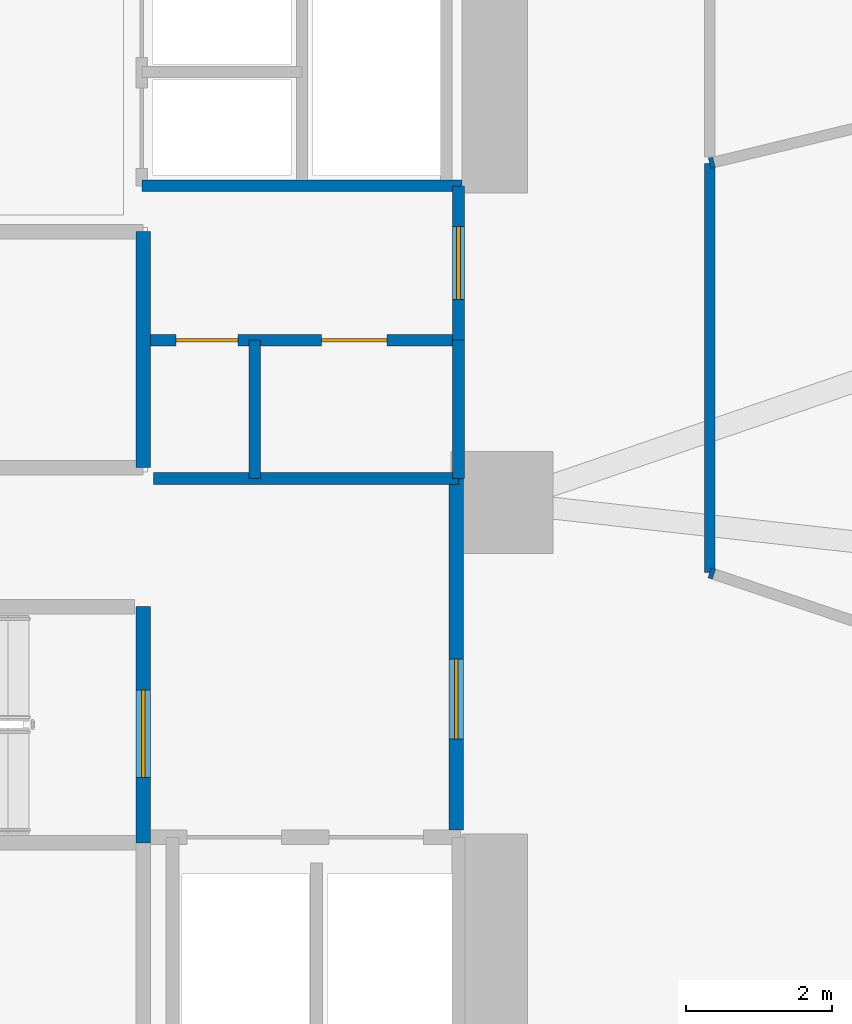
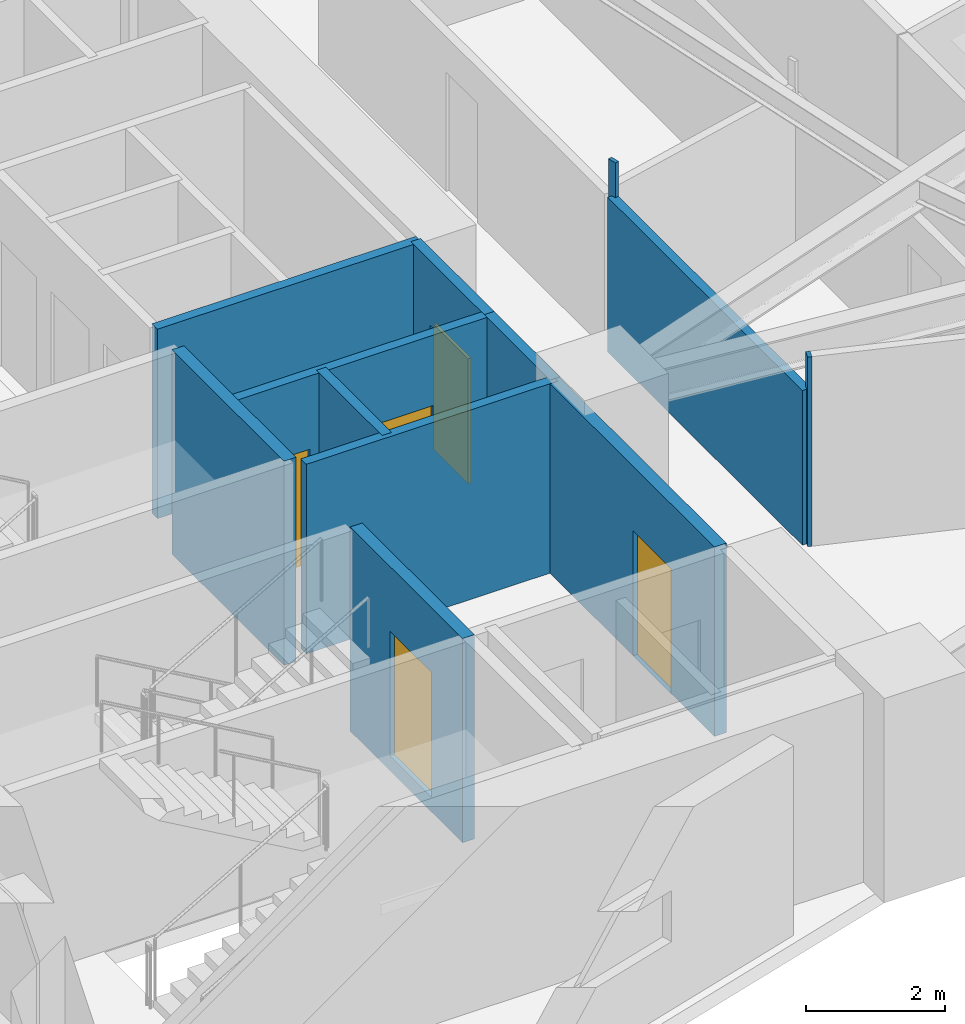
# One storey, part 10 of 16: 12 walls, 5 doors, 5 openings.
"""IFC4 building model written with IfcOpenShell, lengths in metres."""

from ifc_helpers import new_model, si_unit, direction, frame, frame_2d, origin, place, context, subcontext, project, spatial, rectangle, extrude, material, layer, layer_set, type_object, element, fill, save


model = new_model("IFC4")

# Units and contexts
model_context = context("Model", 3, precision=1e-05, world=origin(), true_north=direction((0.0, 1.0)))
body_context = subcontext(model_context, "Body", "Model", "MODEL_VIEW")
ifc_project = project(units=[si_unit("LENGTHUNIT", "METRE"), si_unit("AREAUNIT", "SQUARE_METRE"), si_unit("VOLUMEUNIT", "CUBIC_METRE"), si_unit("PLANEANGLEUNIT", "RADIAN"), si_unit("MASSUNIT", "GRAM", prefix="KILO")], contexts=[model_context])

# Site, building, storey
site_placement = place(None, origin())
site = spatial("IfcSite", under=ifc_project, at=site_placement, CompositionType="ELEMENT")
building_placement = place(site_placement, origin())
building = spatial("IfcBuilding", under=site, at=building_placement, Name="Narakoshi Arena Tower", CompositionType="ELEMENT")
storey_placement = place(building_placement, frame((0.0, 0.0, 150.300048828125)))
storey = spatial("IfcBuildingStorey", under=building, at=storey_placement, Name="L40", CompositionType="ELEMENT", Elevation=150.300048828125)

# Wall, opening, door
ifc_material_1 = material(Name="Gypsum plasterboard fire-rated partition")
ifc_layer_1 = layer(ifc_material_1, 0.1650390625)
ifc_layer_set_1 = layer_set([ifc_layer_1], Name="Gypsum plasterboard fire-rated partition")
wall_type_1 = type_object("IfcWallType", Name="WL-CORR-165", PredefinedType="PARTITIONING", material=ifc_layer_set_1)
wall_1_placement = place(storey_placement, frame((84.949951171875, 45.580078125, 0.0), z_axis=(0.0, 0.0, 1.0), x_axis=(0.0, 1.0, 0.0)))
wall_1 = element("IfcWall", 1, at=wall_1_placement, inside=storey, type_object=wall_type_1, Name="L40 Core Wall CPAS-E", PredefinedType="PARTITIONING", context=body_context, shape_type="SweptSolid", body=[
    extrude(rectangle(XDim=2.119873046875, YDim=0.1650390625, at=frame_2d((1.06005859375, 0.0))), origin(), (0.0, 0.0, 1.0), 3.33984375),
])
opening_1_placement = place(wall_1_placement, frame((0.56005859375, 0.0, 0.0)))
opening_1 = element("IfcOpeningElement", 2, at=opening_1_placement, cuts=wall_1, Name="Opening D-06", PredefinedType="OPENING", context=body_context, shape_type="SweptSolid", body=[
    extrude(rectangle(XDim=1.0, YDim=2.199951171875, at=frame_2d((0.5, 1.10009765625))), frame((0.0, 0.092529296875, 0.0), z_axis=(0.0, -1.0, 0.0), x_axis=(1.0, 0.0, 0.0)), (0.0, 0.0, 1.0), 0.18505859375),
])
ifc_material_2 = material(Name="Stained oak solid-core timber", Category="wood")
door_type_1 = type_object("IfcDoorType", Name="DR-OFF-1000", OperationType="NOTDEFINED", PredefinedType="DOOR", material=ifc_material_2)
door_1_placement = place(opening_1_placement, frame((1.0, 0.0, 0.0), z_axis=(0.0, 0.0, 1.0), x_axis=(-1.0, 0.0, 0.0)))
door_1 = element("IfcDoor", 3, at=door_1_placement, inside=storey, type_object=door_type_1, Name="DR-L40-007", OperationType="SINGLE_SWING_LEFT", OverallHeight=2.199951171875, OverallWidth=1.0, PredefinedType="DOOR", context=body_context, shape_type="SweptSolid", body=[
    extrude(rectangle(XDim=1.0, YDim=2.199951171875, at=frame_2d((0.5, 1.10009765625))), frame((0.0, 0.02490234375, 0.0), z_axis=(0.0, -1.0, 0.0), x_axis=(1.0, 0.0, 0.0)), (0.0, 0.0, 1.0), 0.050048828125),
])
fill(opening_1, door_1)

# Wall
ifc_material_3 = material(Name="Concrete C40/50", Category="concrete")
ifc_layer_2 = layer(ifc_material_3, 0.280029296875)
ifc_layer_set_2 = layer_set([ifc_layer_2], Name="Concrete C40/50")
wall_type_2 = type_object("IfcWallType", Name="WL-RISER-280", PredefinedType="PLUMBINGWALL", material=ifc_layer_set_2)
wall_2_placement = place(storey_placement, frame((84.949951171875, 43.679931640625, 0.0), z_axis=(0.0, 0.0, 1.0), x_axis=(0.0, 1.0, 0.0)))
element("IfcWall", 4, at=wall_2_placement, inside=storey, type_object=wall_type_2, Name="L40 Core Wall RSR-E", PredefinedType="PLUMBINGWALL", context=body_context, shape_type="SweptSolid", body=[
    extrude(rectangle(XDim=1.900146484375, YDim=0.1650390625, at=frame_2d((0.9501953125, 0.0))), origin(), (0.0, 0.0, 1.0), 3.33984375),
])

# Wall, openings, doors
wall_3_placement = place(storey_placement, frame((80.719970703125, 45.580078125, 0.0), z_axis=(0.0, 0.0, 1.0), x_axis=(1.0, 0.0, 0.0)))
wall_3 = element("IfcWall", 5, at=wall_3_placement, inside=storey, type_object=wall_type_2, Name="L40 Core Wall RSR-N", PredefinedType="PLUMBINGWALL", context=body_context, shape_type="SweptSolid", body=[
    extrude(rectangle(XDim=4.22998046875, YDim=0.159912109375, at=frame_2d((2.114990234375, 0.0))), origin(), (0.0, 0.0, 1.0), 3.33984375),
])
opening_2_placement = place(wall_3_placement, frame((0.35009765625, 0.0, 0.0)))
opening_2 = element("IfcOpeningElement", 6, at=opening_2_placement, cuts=wall_3, Name="Opening D-10", PredefinedType="OPENING", context=body_context, shape_type="SweptSolid", body=[
    extrude(rectangle(XDim=0.85009765625, YDim=2.050048828125, at=frame_2d((0.425048828125, 1.02490234375))), frame((0.0, 0.08984375, 0.0), z_axis=(0.0, -1.0, 0.0), x_axis=(1.0, 0.0, 0.0)), (0.0, 0.0, 1.0), 0.179931640625),
])
opening_3_placement = place(wall_3_placement, frame((2.35009765625, 0.0, 0.0)))
opening_3 = element("IfcOpeningElement", 7, at=opening_3_placement, cuts=wall_3, Name="Opening D-08", PredefinedType="OPENING", context=body_context, shape_type="SweptSolid", body=[
    extrude(rectangle(XDim=0.89990234375, YDim=2.10009765625, at=frame_2d((0.449951171875, 1.050048828125))), frame((0.0, 0.08984375, 0.0), z_axis=(0.0, -1.0, 0.0), x_axis=(1.0, 0.0, 0.0)), (0.0, 0.0, 1.0), 0.179931640625),
])
ifc_material_4 = material(Name="Painted galvanized steel", Category="steel")
door_type_2 = type_object("IfcDoorType", Name="DR-RSR-850", OperationType="NOTDEFINED", PredefinedType="DOOR", material=ifc_material_4)
door_2_placement = place(opening_2_placement, frame((0.85009765625, 0.0, 0.0), z_axis=(0.0, 0.0, 1.0), x_axis=(-1.0, 0.0, 0.0)))
door_2 = element("IfcDoor", 8, at=door_2_placement, inside=storey, type_object=door_type_2, Name="DR-L40-008", OperationType="SINGLE_SWING_LEFT", OverallHeight=2.050048828125, OverallWidth=0.85009765625, PredefinedType="DOOR", context=body_context, shape_type="SweptSolid", body=[
    extrude(rectangle(XDim=0.85009765625, YDim=2.050048828125, at=frame_2d((0.425048828125, 1.02490234375))), frame((0.0, 0.02490234375, 0.0), z_axis=(0.0, -1.0, 0.0), x_axis=(1.0, 0.0, 0.0)), (0.0, 0.0, 1.0), 0.050048828125),
])
fill(opening_2, door_2)
ifc_material_5 = material(Name="Moisture-resistant laminate timber", Category="wood")
door_type_3 = type_object("IfcDoorType", Name="DR-WC-900", OperationType="NOTDEFINED", PredefinedType="DOOR", material=ifc_material_5)
door_3_placement = place(opening_3_placement, frame((0.89990234375, 0.0, 0.0), z_axis=(0.0, 0.0, 1.0), x_axis=(-1.0, 0.0, 0.0)))
door_3 = element("IfcDoor", 9, at=door_3_placement, inside=storey, type_object=door_type_3, Name="DR-L40-009", OperationType="SINGLE_SWING_RIGHT", OverallHeight=2.10009765625, OverallWidth=0.89990234375, PredefinedType="DOOR", context=body_context, shape_type="SweptSolid", body=[
    extrude(rectangle(XDim=0.89990234375, YDim=2.10009765625, at=frame_2d((0.449951171875, 1.050048828125))), frame((0.0, 0.02490234375, 0.0), z_axis=(0.0, -1.0, 0.0), x_axis=(1.0, 0.0, 0.0)), (0.0, 0.0, 1.0), 0.050048828125),
])
fill(opening_3, door_3)

# Walls
wall_4_placement = place(storey_placement, frame((80.760009765625, 43.679931640625, 0.0), z_axis=(0.0, 0.0, 1.0), x_axis=(1.0, 0.0, 0.0)))
element("IfcWall", 10, at=wall_4_placement, inside=storey, type_object=wall_type_2, Name="L40 Core Wall RSR-S", PredefinedType="PLUMBINGWALL", context=body_context, shape_type="SweptSolid", body=[
    extrude(rectangle(XDim=4.18994140625, YDim=0.159912109375, at=frame_2d((2.094970703125, 0.0))), origin(), (0.0, 0.0, 1.0), 3.33984375),
])
wall_5_placement = place(storey_placement, frame((82.14990234375, 43.679931640625, 0.0), z_axis=(0.0, 0.0, 1.0), x_axis=(0.0, 1.0, 0.0)))
element("IfcWall", 11, at=wall_5_placement, inside=storey, type_object=wall_type_2, Name="L40 Core Wall RSR-M", PredefinedType="PLUMBINGWALL", context=body_context, shape_type="SweptSolid", body=[
    extrude(rectangle(XDim=1.900146484375, YDim=0.159912109375, at=frame_2d((0.9501953125, 0.0))), origin(), (0.0, 0.0, 1.0), 3.33984375),
])

# Wall, opening, door
ifc_material_6 = material(Name="Concrete C50/60", Category="concrete")
ifc_layer_3 = layer(ifc_material_6, 0.35009765625)
ifc_layer_set_3 = layer_set([ifc_layer_3], Name="Concrete C50/60")
wall_type_3 = type_object("IfcWallType", Name="WL-SHAFT-350", PredefinedType="SOLIDWALL", material=ifc_layer_set_3)
wall_6_placement = place(storey_placement, frame((80.6201171875, 38.675048828125, -0.260009765625), z_axis=(0.0, 0.0, 1.0), x_axis=(0.0, 1.0, 0.0)))
wall_6 = element("IfcWall", 12, at=wall_6_placement, inside=storey, type_object=wall_type_3, Name="L40 Core Wall ST2-E", PredefinedType="SOLIDWALL", context=body_context, shape_type="SweptSolid", body=[
    extrude(rectangle(XDim=3.244873046875, YDim=0.199951171875, at=frame_2d((1.62255859375, 0.0))), origin(), (0.0, 0.0, 1.0), 3.599853515625),
])
opening_4_placement = place(wall_6_placement, frame((0.89990234375, 0.0, 0.260009765625)))
opening_4 = element("IfcOpeningElement", 13, at=opening_4_placement, cuts=wall_6, Name="Opening D-03", PredefinedType="OPENING", context=body_context, shape_type="SweptSolid", body=[
    extrude(rectangle(XDim=1.199951171875, YDim=2.199951171875, at=frame_2d((0.60009765625, 1.10009765625))), frame((0.0, 0.10986328125, 0.0), z_axis=(0.0, -1.0, 0.0), x_axis=(1.0, 0.0, 0.0)), (0.0, 0.0, 1.0), 0.219970703125),
])
door_type_4 = type_object("IfcDoorType", Name="DR-STR-1200", OperationType="NOTDEFINED", PredefinedType="USERDEFINED", material=ifc_material_4)
door_4_placement = place(opening_4_placement, origin())
door_4 = element("IfcDoor", 14, at=door_4_placement, inside=storey, type_object=door_type_4, Name="DR-L40-002", ObjectType="EXITDOOR", OperationType="SINGLE_SWING_RIGHT", OverallHeight=2.199951171875, OverallWidth=1.199951171875, PredefinedType="USERDEFINED", context=body_context, shape_type="SweptSolid", body=[
    extrude(rectangle(XDim=1.199951171875, YDim=2.199951171875, at=frame_2d((0.60009765625, 1.10009765625))), frame((0.0, 0.02490234375, 0.0), z_axis=(0.0, -1.0, 0.0), x_axis=(1.0, 0.0, 0.0)), (0.0, 0.0, 1.0), 0.050048828125),
])
fill(opening_4, door_4)

wall_7_placement = place(storey_placement, frame((84.919921875, 38.85009765625, 0.0), z_axis=(0.0, 0.0, 1.0), x_axis=(0.0, 1.0, 0.0)))
wall_7 = element("IfcWall", 15, at=wall_7_placement, inside=storey, type_object=wall_type_3, Name="L40 Core Wall FFLOB-E", PredefinedType="SOLIDWALL", context=body_context, shape_type="SweptSolid", body=[
    extrude(rectangle(XDim=4.829833984375, YDim=0.199951171875, at=frame_2d((2.4150390625, 0.0))), origin(), (0.0, 0.0, 1.0), 3.33984375),
])
opening_5_placement = place(wall_7_placement, frame((1.25, 0.0, 0.0)))
opening_5 = element("IfcOpeningElement", 16, at=opening_5_placement, cuts=wall_7, Name="Opening D-04", PredefinedType="OPENING", context=body_context, shape_type="SweptSolid", body=[
    extrude(rectangle(XDim=1.10009765625, YDim=2.199951171875, at=frame_2d((0.550048828125, 1.10009765625))), frame((0.0, 0.10986328125, 0.0), z_axis=(0.0, -1.0, 0.0), x_axis=(1.0, 0.0, 0.0)), (0.0, 0.0, 1.0), 0.219970703125),
])
door_type_5 = type_object("IfcDoorType", Name="DR-FFL-1100", OperationType="NOTDEFINED", PredefinedType="DOOR", material=ifc_material_4)
door_5_placement = place(opening_5_placement, frame((1.10009765625, 0.0, 0.0), z_axis=(0.0, 0.0, 1.0), x_axis=(-1.0, 0.0, 0.0)))
door_5 = element("IfcDoor", 17, at=door_5_placement, inside=storey, type_object=door_type_5, Name="DR-L40-005", OperationType="SINGLE_SWING_RIGHT", OverallHeight=2.199951171875, OverallWidth=1.10009765625, PredefinedType="DOOR", context=body_context, shape_type="SweptSolid", body=[
    extrude(rectangle(XDim=1.10009765625, YDim=2.199951171875, at=frame_2d((0.550048828125, 1.10009765625))), frame((0.0, 0.02490234375, 0.0), z_axis=(0.0, -1.0, 0.0), x_axis=(1.0, 0.0, 0.0)), (0.0, 0.0, 1.0), 0.050048828125),
])
fill(opening_5, door_5)

# Walls
wall_8_placement = place(storey_placement, frame((80.6201171875, 43.830078125, -0.260009765625), z_axis=(0.0, 0.0, 1.0), x_axis=(0.0, 1.0, 0.0)))
element("IfcWall", 18, at=wall_8_placement, inside=storey, type_object=wall_type_3, Name="L40 Core Wall ST3-E", PredefinedType="SOLIDWALL", context=body_context, shape_type="SweptSolid", body=[
    extrude(rectangle(XDim=3.239990234375, YDim=0.199951171875, at=frame_2d((1.6201171875, 0.0))), origin(), (0.0, 0.0, 1.0), 3.599853515625),
])
wall_9_placement = place(storey_placement, frame((80.60009765625, 47.699951171875, 0.0), z_axis=(0.0, 0.0, 1.0), x_axis=(1.0, 0.0, 0.0)))
element("IfcWall", 19, at=wall_9_placement, inside=storey, type_object=wall_type_3, Name="L40 Core Wall MR-S", PredefinedType="SOLIDWALL", context=body_context, shape_type="SweptSolid", body=[
    extrude(rectangle(XDim=4.39990234375, YDim=0.159912109375, at=frame_2d((2.199951171875, 0.0))), origin(), (0.0, 0.0, 1.0), 3.33984375),
])
ifc_material_7 = material(Name="Moisture-resistant cement-board partition")
ifc_layer_4 = layer(ifc_material_7, 0.14501953125)
ifc_layer_set_4 = layer_set([ifc_layer_4], Name="Moisture-resistant cement-board partition")
wall_type_4 = type_object("IfcWallType", Name="WL-WET-145", PredefinedType="PARTITIONING", material=ifc_layer_set_4)
wall_10_placement = place(storey_placement, frame((88.39990234375, 42.385986328125, 0.0), z_axis=(0.0, 0.0, 1.0), x_axis=(0.0, 1.0, 0.0)))
element("IfcWall", 20, at=wall_10_placement, inside=storey, type_object=wall_type_4, Name="L40 Corridor Partition 02-2", PredefinedType="PARTITIONING", context=body_context, shape_type="SweptSolid", body=[
    extrude(rectangle(XDim=5.621826171875, YDim=0.14501953125, at=frame_2d((2.81103515625, 0.0))), origin(), (0.0, 0.0, 1.0), 2.724853515625),
])
wall_11_placement = place(storey_placement, frame((88.4599609375, 42.365966796875, 0.0), z_axis=(0.0, 0.0, 1.0), x_axis=(-0.948683298051, 0.316227766017, 0.0)))
element("IfcWall", 21, at=wall_11_placement, inside=storey, type_object=wall_type_4, Name="L40 Corridor Partition 02-3", PredefinedType="PARTITIONING", context=body_context, shape_type="SweptSolid", body=[
    extrude(rectangle(XDim=0.063232421875, YDim=0.14501953125, at=frame_2d((0.03173828125, 0.0))), origin(), (0.0, 0.0, 1.0), 3.33984375),
])
wall_12_placement = place(storey_placement, frame((88.39990234375, 48.0078125, 0.0), z_axis=(0.0, 0.0, 1.0), x_axis=(0.969676988372, 0.244390135281, 0.0)))
element("IfcWall", 22, at=wall_12_placement, inside=storey, type_object=wall_type_4, Name="L40 Corridor Partition 02-4", PredefinedType="PARTITIONING", context=body_context, shape_type="SweptSolid", body=[
    extrude(rectangle(XDim=0.06201171875, YDim=0.14501953125, at=frame_2d((0.031005859375, 0.0))), origin(), (0.0, 0.0, 1.0), 3.33984375),
])

save(model, "model.ifc")
